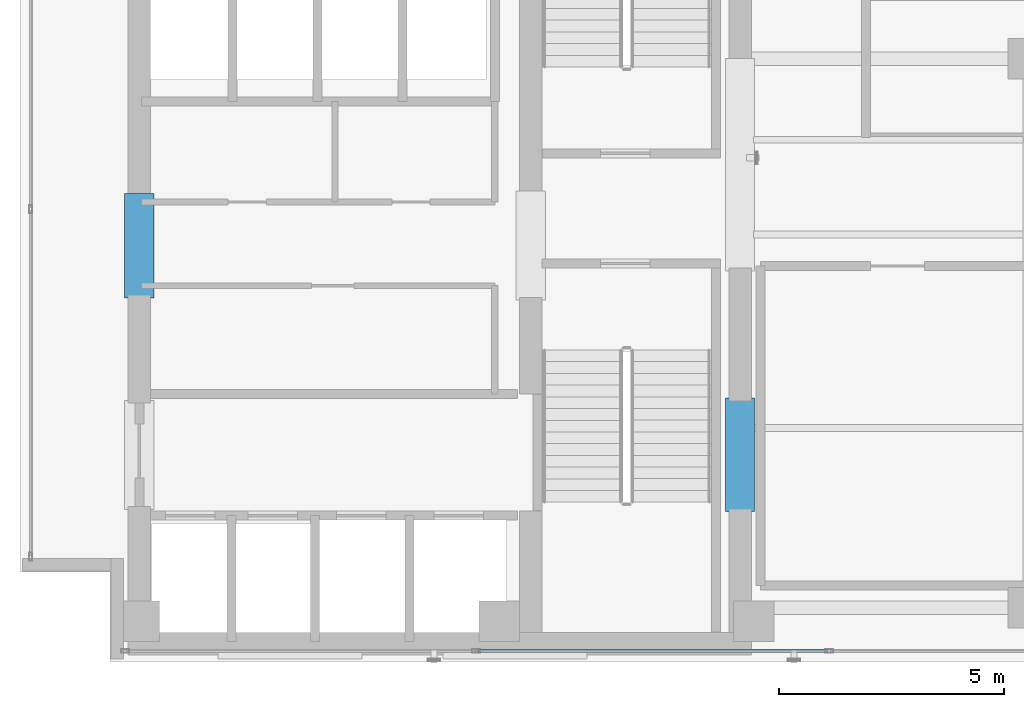
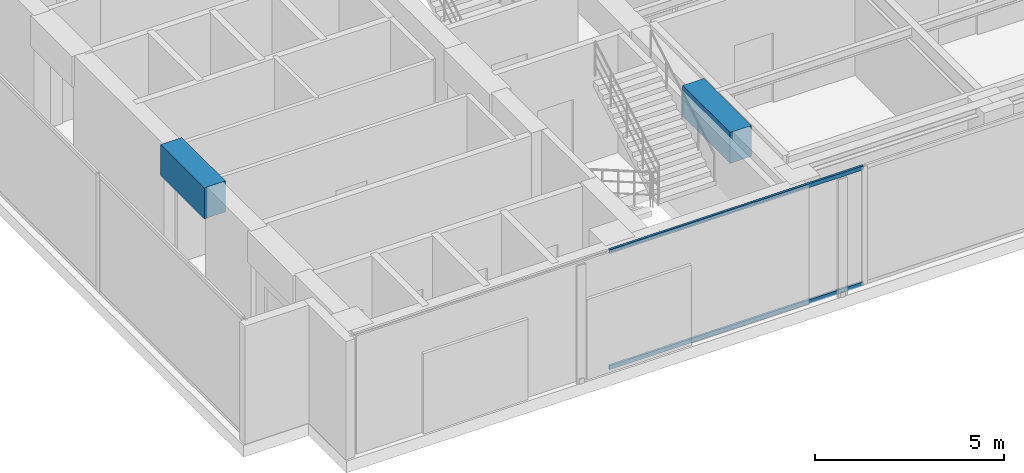
# One storey, part 3 of 24: 2 beams, 2 members, 1 element without a shape of its own.
"""IFC4 building model written with IfcOpenShell, lengths in metres."""

from ifc_helpers import new_model, si_unit, direction, frame, origin, origin_with_axes, origin_2d, place, context, subcontext, project, spatial, rectangle, hollow_rectangle, extrude, source, transform, mapped, material, layer, layer_set, material_profile, profile_set, type_object, element, aggregate, save


model = new_model("IFC4")

# Units and contexts
model_context = context("Model", 3, precision=1e-05, world=origin(), true_north=direction((0.0, 1.0)))
body_context = subcontext(model_context, "Body", "Model", "MODEL_VIEW")
ifc_project = project(units=[si_unit("LENGTHUNIT", "METRE"), si_unit("AREAUNIT", "SQUARE_METRE"), si_unit("VOLUMEUNIT", "CUBIC_METRE"), si_unit("PLANEANGLEUNIT", "RADIAN"), si_unit("MASSUNIT", "GRAM", prefix="KILO")], contexts=[model_context])

# Site, building, storey
site_placement = place(None, origin())
site = spatial("IfcSite", under=ifc_project, at=site_placement, CompositionType="ELEMENT")
building_placement = place(site_placement, origin())
building = spatial("IfcBuilding", under=site, at=building_placement, Name="Kolvaren Waterfront Exchange", CompositionType="ELEMENT")
storey_placement = place(building_placement, frame((0.0, 0.0, 356.199951171875)))
storey = spatial("IfcBuildingStorey", under=building, at=storey_placement, Name="L91", CompositionType="ELEMENT", Elevation=356.199951171875)

# Beams
ifc_material_1 = material(Name="Concrete C60/75", Category="concrete")
ifc_material_profile_1 = material_profile(ifc_material_1, rectangle(XDim=0.64990234375, YDim=1.0, at=origin_2d()), Name="RC-CB-1000x650")
ifc_profile_set_1 = profile_set([ifc_material_profile_1], Name="Concrete C60/75")
beam_type = type_object("IfcBeamType", Name="STR-CB-1000", PredefinedType="SPANDREL", material=ifc_profile_set_1)
beam_1_placement = place(storey_placement, frame((20.800048828125, 7.340087890625, 3.320068359375), z_axis=(0.0, 1.0, 0.0), x_axis=(-1.0, 0.0, 0.0)))
element("IfcBeam", 1, at=beam_1_placement, inside=storey, type_object=beam_type, Name="L91 core coupling beam 1", PredefinedType="SPANDREL", context=body_context, shape_type="SweptSolid", body=[
    extrude(rectangle(XDim=0.64990234375, YDim=1.0, at=origin_2d()), origin(), (0.0, 0.0, 1.0), 2.52001953125),
])
beam_2_placement = place(storey_placement, frame((7.449951171875, 12.090087890625, 3.320068359375), z_axis=(0.0, 1.0, 0.0), x_axis=(-1.0, 0.0, 0.0)))
element("IfcBeam", 2, at=beam_2_placement, inside=storey, type_object=beam_type, Name="L91 core coupling beam 4", PredefinedType="SPANDREL", context=body_context, shape_type="SweptSolid", body=[
    extrude(rectangle(XDim=0.64990234375, YDim=1.0, at=origin_2d()), origin(), (0.0, 0.0, 1.0), 2.31982421875),
])

# Curtain wall, members
ifc_material_2 = material(Name="Anodised dark bronze spandrel aluminium", Category="aluminium")
ifc_layer = layer(ifc_material_2, 0.219970703125, Name="Anodised dark bronze spandrel aluminium")
ifc_layer_set = layer_set([ifc_layer], Name="Anodised dark bronze spandrel aluminium")
curtain_wall_type = type_object("IfcCurtainWallType", Name="ARC-CW-SYS6", PredefinedType="USERDEFINED", material=ifc_layer_set)
curtain_wall_placement = place(storey_placement, origin())
curtain_wall = element("IfcCurtainWall", 3, at=curtain_wall_placement, inside=storey, type_object=curtain_wall_type, Name="L91 stick curtain wall CW6 (CW-L91-S)", ObjectType="STICK CURTAIN WALL", PredefinedType="USERDEFINED")
ifc_material_3 = material(Name="Anodised bronze aluminium 6063-T6", Category="aluminium")
ifc_material_profile_2 = material_profile(ifc_material_3, hollow_rectangle(XDim=0.06494140625, YDim=0.1298828125, WallThickness=0.00390625, at=origin_2d()), Name="ALU-TRN-130x65x4")
ifc_profile_set_2 = profile_set([ifc_material_profile_2], Name="Anodised bronze aluminium 6063-T6")
member_type = type_object("IfcMemberType", Name="ARC-CWT-130", PredefinedType="USERDEFINED", material=ifc_profile_set_2)
shared_shape = source(origin_with_axes(), body_context, "Body", "SweptSolid", [
    extrude(hollow_rectangle(XDim=0.06494140625, YDim=0.1298828125, WallThickness=0.00390625, at=origin_2d()), origin(), (0.0, 0.0, 1.0), 7.764892578125),
])
member_1_placement = place(storey_placement, frame((14.9775390625, 4.239990234375, 0.032470703125), z_axis=(1.0, 0.0, 0.0), x_axis=(0.0, 1.0, 0.0)))
member_1 = element("IfcMember", 4, at=member_1_placement, type_object=member_type, Name="CW6 transom 2.1", ObjectType="TRANSOM", PredefinedType="USERDEFINED", context=body_context, shape_type="MappedRepresentation", body=[
    mapped(shared_shape, transform((0.0, 0.0, 0.0), x_axis=(1.0, 0.0, 0.0), y_axis=(0.0, 1.0, 0.0), z_axis=(0.0, 0.0, 1.0), scale=1.0)),
])
member_2_placement = place(storey_placement, frame((14.9775390625, 4.239990234375, 3.78759765625), z_axis=(1.0, 0.0, 0.0), x_axis=(0.0, 1.0, 0.0)))
member_2 = element("IfcMember", 5, at=member_2_placement, type_object=member_type, Name="CW6 transom 2.2", ObjectType="TRANSOM", PredefinedType="USERDEFINED", context=body_context, shape_type="MappedRepresentation", body=[
    mapped(shared_shape, transform((0.0, 0.0, 0.0), x_axis=(1.0, 0.0, 0.0), y_axis=(0.0, 1.0, 0.0), z_axis=(0.0, 0.0, 1.0), scale=1.0)),
])
aggregate(curtain_wall, [member_1, member_2])

save(model, "model.ifc")
